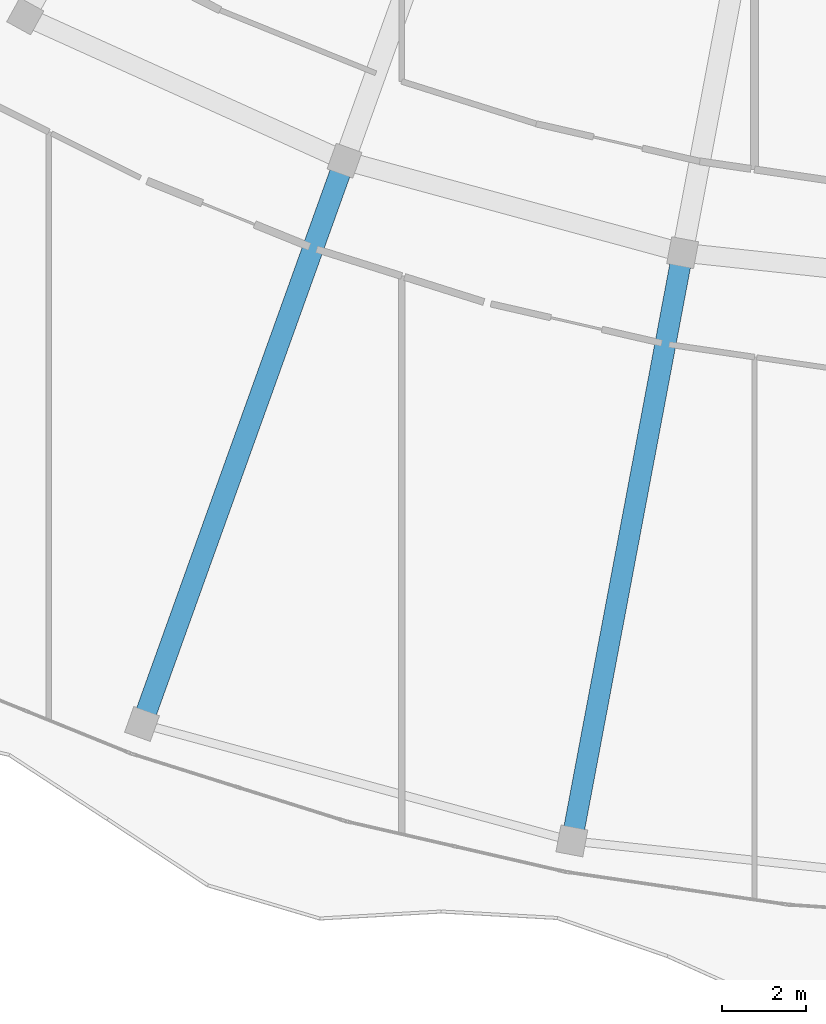
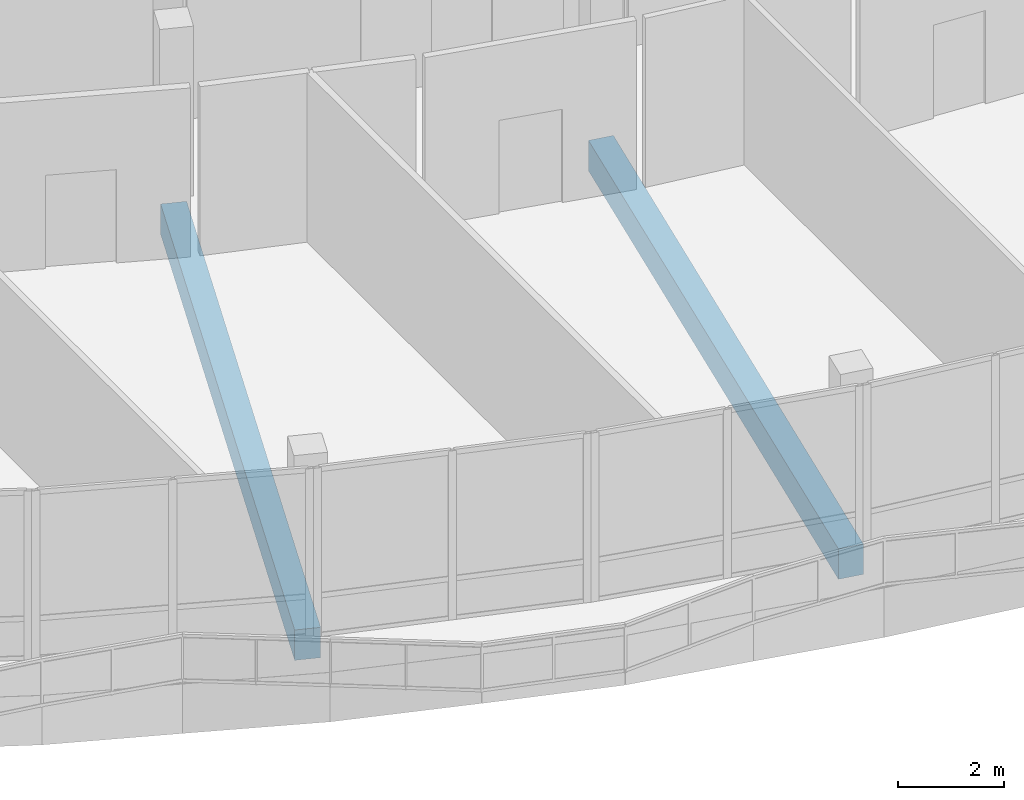
# One storey, part 15 of 184: 2 beams.
"""IFC4 building model written with IfcOpenShell, lengths in metres."""

from ifc_helpers import new_model, si_unit, direction, frame, origin, origin_2d, place, context, subcontext, project, spatial, rectangle, extrude, material, material_profile, profile_set, type_object, element, save


model = new_model("IFC4")

# Units and contexts
model_context = context("Model", 3, precision=1e-05, world=origin(), true_north=direction((0.0, 1.0)))
body_context = subcontext(model_context, "Body", "Model", "MODEL_VIEW")
ifc_project = project(units=[si_unit("LENGTHUNIT", "METRE"), si_unit("AREAUNIT", "SQUARE_METRE"), si_unit("VOLUMEUNIT", "CUBIC_METRE"), si_unit("PLANEANGLEUNIT", "RADIAN"), si_unit("MASSUNIT", "GRAM", prefix="KILO")], contexts=[model_context])

# Site, building, storey
site_placement = place(None, origin())
site = spatial("IfcSite", under=ifc_project, at=site_placement, CompositionType="ELEMENT")
building_placement = place(site_placement, origin())
building = spatial("IfcBuilding", under=site, at=building_placement, Name="Selatvlak General Hospital", CompositionType="ELEMENT")
storey_placement = place(building_placement, frame((0.0, 0.0, 15.0)))
storey = spatial("IfcBuildingStorey", under=building, at=storey_placement, Name="L03", CompositionType="ELEMENT", Elevation=15.0)

# Beams
ifc_material = material(Name="Concrete C40/50", Category="concrete")
ifc_material_profile = material_profile(ifc_material, rectangle(XDim=0.5, YDim=0.699951171875, at=origin_2d()), Name="RC-BM 500x700")
ifc_profile_set = profile_set([ifc_material_profile], Name="Concrete C40/50")
beam_type = type_object("IfcBeamType", Name="BM-G03", PredefinedType="BEAM", material=ifc_profile_set)
for number, where, z_axis, x_axis, name in (
    (1, (38.239013671875, 30.095947265625, -0.68994140625), (-0.338253491381, -0.941055033231, 0.0), (0.941055033231, -0.338253491381, 0.0), "Beam BMR-L03-1460"),
    (2, (46.2880859375, 27.906005859375, -0.68994140625), (-0.184983631041, -0.982741601972, 0.0), (0.982741601972, -0.184983631041, 0.0), "Beam BMR-L03-1462"),
):
    element("IfcBeam", number, at=place(storey_placement, frame(where, z_axis=z_axis, x_axis=x_axis)), inside=storey, type_object=beam_type, Name=name, PredefinedType="BEAM", context=body_context, shape_type="SweptSolid", body=[
        extrude(rectangle(XDim=0.5, YDim=0.699951171875, at=origin_2d()), origin(), (0.0, 0.0, 1.0), 14.249755859375),
    ])

save(model, "model.ifc")
